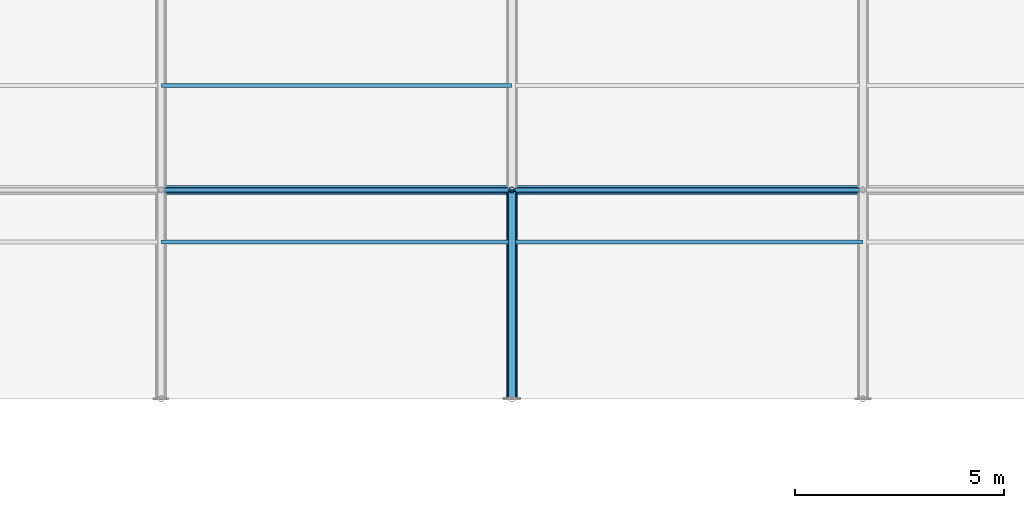
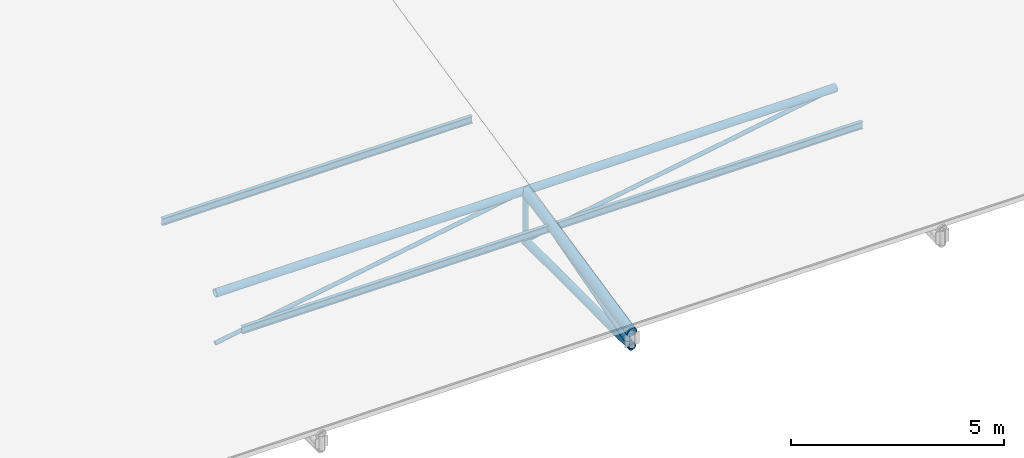
# One storey, part 31 of 194: 8 members, 3 beams.
"""IFC4 building model written with IfcOpenShell, lengths in metres."""

from ifc_helpers import new_model, si_unit, direction, frame, origin, origin_2d, place, context, subcontext, project, spatial, hollow_circle, i_section, extrude, material, material_profile, profile_set, type_object, element, save


model = new_model("IFC4")

# Units and contexts
model_context = context("Model", 3, precision=1e-05, world=origin(), true_north=direction((0.0, 1.0)))
body_context = subcontext(model_context, "Body", "Model", "MODEL_VIEW")
ifc_project = project(units=[si_unit("LENGTHUNIT", "METRE"), si_unit("AREAUNIT", "SQUARE_METRE"), si_unit("VOLUMEUNIT", "CUBIC_METRE"), si_unit("PLANEANGLEUNIT", "RADIAN"), si_unit("MASSUNIT", "GRAM", prefix="KILO")], contexts=[model_context])

# Site, building, storey
site_placement = place(None, origin())
site = spatial("IfcSite", under=ifc_project, at=site_placement, CompositionType="ELEMENT")
building_placement = place(site_placement, origin())
building = spatial("IfcBuilding", under=site, at=building_placement, Name="Kazenagashi Tramway Depot", CompositionType="ELEMENT")
storey_placement = place(building_placement, frame((0.0, 0.0, 23.7)))
storey = spatial("IfcBuildingStorey", under=building, at=storey_placement, Name="ROOF", CompositionType="ELEMENT", Elevation=23.7)

# Beams
ifc_material_1 = material(Name="Steel SN400B", Category="steel")
ifc_material_profile_1 = material_profile(ifc_material_1, i_section(OverallWidth=0.1, OverallDepth=0.2, WebThickness=0.0055, FlangeThickness=0.008, at=origin_2d()), Name="H-200x100x5.5x8")
ifc_profile_set_1 = profile_set([ifc_material_profile_1], Name="Steel SN400B")
beam_type = type_object("IfcBeamType", Name="PR-01", PredefinedType="USERDEFINED", material=ifc_profile_set_1)
for number, where, z_axis, x_axis, name in (
    (1, (112.0, 73.75, -12.955), (1.0, 0.0, 0.0), (0.0, 1.0, 0.0), "Beam PR-01 BM-2026"),
    (2, (120.4, 73.75, -12.955), (1.0, 0.0, 0.0), (0.0, 1.0, 0.0), "Beam PR-01 BM-2027"),
    (3, (112.0, 77.5, -12.13), (1.0, 0.0, 0.0), (0.0, 1.0, 0.0), "Beam PR-01 BM-2044"),
):
    element("IfcBeam", number, at=place(storey_placement, frame(where, z_axis=z_axis, x_axis=x_axis)), inside=storey, type_object=beam_type, Name=name, ObjectType="PURLIN", PredefinedType="USERDEFINED", context=body_context, shape_type="SweptSolid", body=[
        extrude(i_section(OverallWidth=0.1, OverallDepth=0.2, WebThickness=0.0055, FlangeThickness=0.008, at=origin_2d()), origin(), (0.0, 0.0, 1.0), 8.4),
    ])

# Members
ifc_material_2 = material(Name="Steel STK490", Category="steel")
ifc_material_profile_2 = material_profile(ifc_material_2, hollow_circle(Radius=0.1337, WallThickness=0.0093, at=origin_2d()), Name="CHS-267.4x9.3")
ifc_profile_set_2 = profile_set([ifc_material_profile_2], Name="Steel STK490")
member_type_1 = type_object("IfcMemberType", Name="TC-01", PredefinedType="CHORD", material=ifc_profile_set_2)
member_1_placement = place(storey_placement, frame((120.4, 70.0, -13.7), z_axis=(0.0, 0.979317999984, 0.202327098797), x_axis=(-1.0, 0.0, 0.0)))
element("IfcMember", 4, at=member_1_placement, inside=storey, type_object=member_type_1, Name="Tubular Space Frame TC-01 MEM-0550", PredefinedType="CHORD", context=body_context, shape_type="SweptSolid", body=[
    extrude(hollow_circle(Radius=0.1337, WallThickness=0.0093, at=origin_2d()), origin(), (0.0, 0.0, 1.0), 5.105594),
])
ifc_material_profile_3 = material_profile(ifc_material_2, hollow_circle(Radius=0.10815, WallThickness=0.0082, at=origin_2d()), Name="CHS-216.3x8.2")
ifc_profile_set_3 = profile_set([ifc_material_profile_3], Name="Steel STK490")
member_type_2 = type_object("IfcMemberType", Name="TC-02", PredefinedType="CHORD", material=ifc_profile_set_3)
member_2_placement = place(storey_placement, frame((112.0, 75.0, -12.667), z_axis=(1.0, 0.0, 0.0), x_axis=(0.0, 1.0, 0.0)))
element("IfcMember", 5, at=member_2_placement, inside=storey, type_object=member_type_2, Name="Tubular Space Frame TC-02 MEM-0514", PredefinedType="CHORD", context=body_context, shape_type="SweptSolid", body=[
    extrude(hollow_circle(Radius=0.10815, WallThickness=0.0082, at=origin_2d()), origin(), (0.0, 0.0, 1.0), 8.4),
])
member_3_placement = place(storey_placement, frame((120.4, 70.0, -14.1), z_axis=(0.0, 1.0, 0.0), x_axis=(-1.0, 0.0, 0.0)))
element("IfcMember", 6, at=member_3_placement, inside=storey, type_object=member_type_2, Name="Tubular Space Frame TC-02 MEM-0551", PredefinedType="CHORD", context=body_context, shape_type="SweptSolid", body=[
    extrude(hollow_circle(Radius=0.10815, WallThickness=0.0082, at=origin_2d()), origin(), (0.0, 0.0, 1.0), 5.0),
])
member_4_placement = place(storey_placement, frame((120.4, 75.0, -12.667), z_axis=(1.0, 0.0, 0.0), x_axis=(0.0, 1.0, 0.0)))
element("IfcMember", 7, at=member_4_placement, inside=storey, type_object=member_type_2, Name="Tubular Space Frame TC-02 MEM-0575", PredefinedType="CHORD", context=body_context, shape_type="SweptSolid", body=[
    extrude(hollow_circle(Radius=0.10815, WallThickness=0.0082, at=origin_2d()), origin(), (0.0, 0.0, 1.0), 8.4),
])
ifc_material_profile_4 = material_profile(ifc_material_2, hollow_circle(Radius=0.0826, WallThickness=0.0071, at=origin_2d()), Name="CHS-165.2x7.1")
ifc_profile_set_4 = profile_set([ifc_material_profile_4], Name="Steel STK490")
member_type_3 = type_object("IfcMemberType", Name="TS-01", PredefinedType="STRUT", material=ifc_profile_set_4)
member_5_placement = place(storey_placement, frame((120.4, 70.0, -14.1), z_axis=(0.0, 0.961298717795, 0.27550821252), x_axis=(-1.0, 0.0, 0.0)))
element("IfcMember", 8, at=member_5_placement, inside=storey, type_object=member_type_3, Name="Tubular Space Frame TS-01 MEM-0552", PredefinedType="STRUT", context=body_context, shape_type="SweptSolid", body=[
    extrude(hollow_circle(Radius=0.0826, WallThickness=0.0071, at=origin_2d()), origin(), (0.0, 0.0, 1.0), 5.201297),
])
ifc_material_profile_5 = material_profile(ifc_material_2, hollow_circle(Radius=0.0699, WallThickness=0.0066, at=origin_2d()), Name="CHS-139.8x6.6")
ifc_profile_set_5 = profile_set([ifc_material_profile_5], Name="Steel STK490")
member_type_4 = type_object("IfcMemberType", Name="TS-02", PredefinedType="STRUT", material=ifc_profile_set_5)
member_6_placement = place(storey_placement, frame((120.4, 75.0, -14.1), z_axis=(0.0, 0.0, 1.0), x_axis=(1.0, 0.0, 0.0)))
element("IfcMember", 9, at=member_6_placement, inside=storey, type_object=member_type_4, Name="Tubular Space Frame TS-02 MEM-0569", PredefinedType="STRUT", context=body_context, shape_type="SweptSolid", body=[
    extrude(hollow_circle(Radius=0.0699, WallThickness=0.0066, at=origin_2d()), origin(), (0.0, 0.0, 1.0), 1.433),
])
ifc_material_3 = material(Name="Steel STK400", Category="steel")
ifc_material_profile_6 = material_profile(ifc_material_3, hollow_circle(Radius=0.05715, WallThickness=0.0045, at=origin_2d()), Name="CHS-114.3x4.5")
ifc_profile_set_6 = profile_set([ifc_material_profile_6], Name="Steel STK400")
member_type_5 = type_object("IfcMemberType", Name="TS-03", PredefinedType="STRUT", material=ifc_profile_set_6)
for number, where, z_axis, x_axis, name in (
    (10, (112.0, 75.0, -14.1), (0.985758734117, 0.0, 0.168165745951), (0.0, 1.0, 0.0), "Tubular Space Frame TS-03 MEM-0515"),
    (11, (120.4, 75.0, -14.1), (0.985758734117, 0.0, 0.168165745951), (0.0, 1.0, 0.0), "Tubular Space Frame TS-03 MEM-0576"),
):
    element("IfcMember", number, at=place(storey_placement, frame(where, z_axis=z_axis, x_axis=x_axis)), inside=storey, type_object=member_type_5, Name=name, PredefinedType="STRUT", context=body_context, shape_type="SweptSolid", body=[
        extrude(hollow_circle(Radius=0.05715, WallThickness=0.0045, at=origin_2d()), origin(), (0.0, 0.0, 1.0), 8.521355),
    ])

save(model, "model.ifc")
